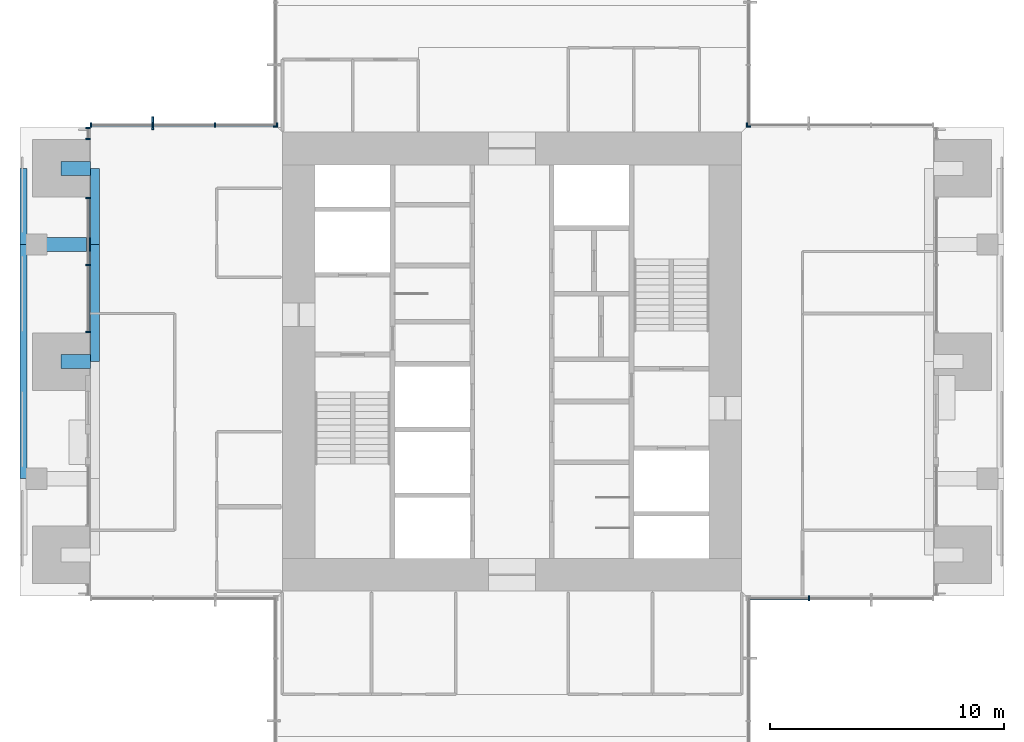
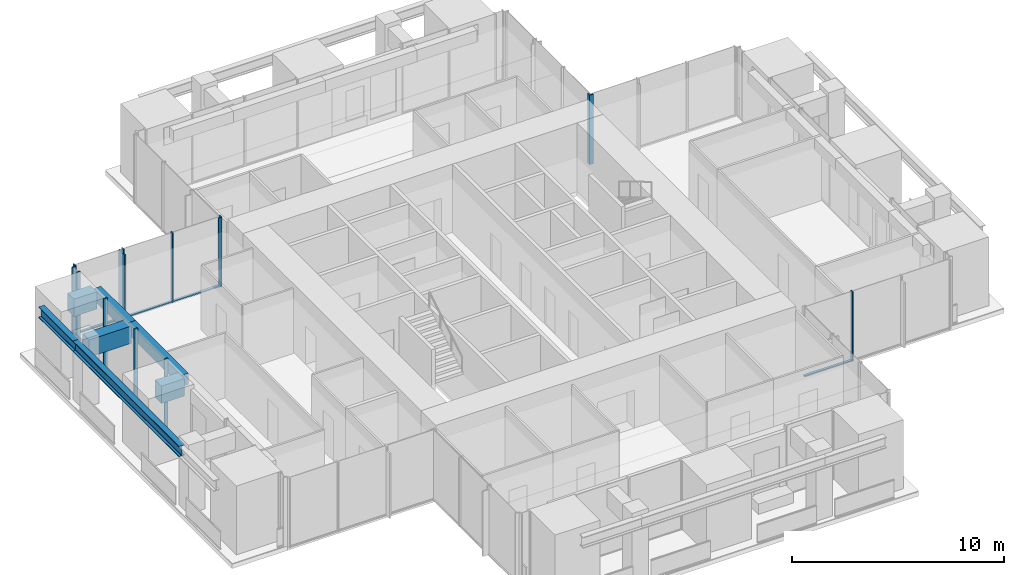
# One storey, part 3 of 17: 20 members, 7 beams, 7 elements without a shape of their own.
"""IFC4 building model written with IfcOpenShell, lengths in metres."""

from ifc_helpers import new_model, si_unit, direction, frame, origin, origin_2d, place, context, subcontext, project, spatial, rectangle, i_section, extrude, material, material_profile, profile_set, type_object, element, aggregate, save


model = new_model("IFC4")

# Units and contexts
model_context = context("Model", 3, precision=1e-05, world=origin(), true_north=direction((0.0, 1.0)))
body_context = subcontext(model_context, "Body", "Model", "MODEL_VIEW")
ifc_project = project(units=[si_unit("LENGTHUNIT", "METRE"), si_unit("AREAUNIT", "SQUARE_METRE"), si_unit("VOLUMEUNIT", "CUBIC_METRE"), si_unit("PLANEANGLEUNIT", "RADIAN"), si_unit("MASSUNIT", "GRAM", prefix="KILO")], contexts=[model_context])

# Site, building, storey
site_placement = place(None, origin())
site = spatial("IfcSite", under=ifc_project, at=site_placement, CompositionType="ELEMENT")
building_placement = place(site_placement, origin())
building = spatial("IfcBuilding", under=site, at=building_placement, Name="Svetlomir Tower", CompositionType="ELEMENT")
storey_placement = place(building_placement, frame((0.0, 0.0, 202.5)))
storey = spatial("IfcBuildingStorey", under=building, at=storey_placement, Name="L48", CompositionType="ELEMENT", Elevation=202.5)

# Curtain wall, member
ifc_material_1 = material(Name="Bronze anodised aluminium curtain wall", Category="aluminium")
curtain_wall_type = type_object("IfcCurtainWallType", Name="CURTAIN WALL CW1 TOWER OFFICE", PredefinedType="NOTDEFINED", material=ifc_material_1)
curtain_wall_1_placement = place(storey_placement, origin())
curtain_wall_1 = element("IfcCurtainWall", 1, at=curtain_wall_1_placement, inside=storey, type_object=curtain_wall_type, Name="Curtain wall CW1 L48", PredefinedType="NOTDEFINED")
ifc_material_2 = material(Name="Bronze anodised aluminium", Category="aluminium")
ifc_material_profile_1 = material_profile(ifc_material_2, rectangle(XDim=0.080078125, YDim=0.550048828125, at=origin_2d()), Name="FIN 80x550")
ifc_profile_set_1 = profile_set([ifc_material_profile_1], Name="Bronze anodised aluminium 6063-T6")
member_type_1 = type_object("IfcMemberType", Name="BRONZE FIN 80x550", PredefinedType="USERDEFINED", material=ifc_profile_set_1)
member_1_placement = place(storey_placement, frame((5.666748046875, 31.175048828125, 0.0), z_axis=(0.0, 0.0, 1.0), x_axis=(1.0, 0.0, 0.0)))
member_1 = element("IfcMember", 2, at=member_1_placement, type_object=member_type_1, Name="Bronze fin L48", ObjectType="FIN", PredefinedType="USERDEFINED", context=body_context, shape_type="SweptSolid", body=[
    extrude(rectangle(XDim=0.080078125, YDim=0.550048828125, at=origin_2d()), origin(), (0.0, 0.0, 1.0), 3.75),
])

curtain_wall_2_placement = place(storey_placement, origin())
curtain_wall_2 = element("IfcCurtainWall", 3, at=curtain_wall_2_placement, inside=storey, type_object=curtain_wall_type, Name="Curtain wall CW1 L48", PredefinedType="NOTDEFINED")
ifc_material_3 = material(Name="Bronze anodised aluminium", Category="aluminium")
ifc_material_profile_2 = material_profile(ifc_material_3, rectangle(XDim=0.06494140625, YDim=0.199951171875, at=origin_2d()), Name="AL 65x200")
ifc_profile_set_2 = profile_set([ifc_material_profile_2], Name="Bronze anodised aluminium 6063-T6")
member_type_2 = type_object("IfcMemberType", Name="CW1 MULLION 65x200", PredefinedType="MULLION", material=ifc_profile_set_2)
member_2_placement = place(storey_placement, frame((33.666748046875, 10.89990234375, 0.0), z_axis=(0.0, 0.0, 1.0), x_axis=(1.0, 0.0, 0.0)))
member_2 = element("IfcMember", 4, at=member_2_placement, type_object=member_type_2, Name="CW1 mullion 2", PredefinedType="MULLION", context=body_context, shape_type="SweptSolid", body=[
    extrude(rectangle(XDim=0.06494140625, YDim=0.199951171875, at=origin_2d()), origin(), (0.0, 0.0, 1.0), 4.0),
])

curtain_wall_3_placement = place(storey_placement, origin())
curtain_wall_3 = element("IfcCurtainWall", 5, at=curtain_wall_3_placement, inside=storey, type_object=curtain_wall_type, Name="Curtain wall CW1 L48", PredefinedType="NOTDEFINED")
member_3_placement = place(storey_placement, frame((31.032470703125, 31.10009765625, 0.0), z_axis=(0.0, 0.0, 1.0), x_axis=(-1.0, 0.0, 0.0)))
member_3 = element("IfcMember", 6, at=member_3_placement, type_object=member_type_2, Name="CW1 mullion 4", PredefinedType="MULLION", context=body_context, shape_type="SweptSolid", body=[
    extrude(rectangle(XDim=0.06494140625, YDim=0.199951171875, at=origin_2d()), origin(), (0.0, 0.0, 1.0), 4.0),
])
aggregate(curtain_wall_3, [member_3])

curtain_wall_4_placement = place(storey_placement, origin())
curtain_wall_4 = element("IfcCurtainWall", 7, at=curtain_wall_4_placement, inside=storey, type_object=curtain_wall_type, Name="Curtain wall CW1 L48", PredefinedType="NOTDEFINED")
member_4_placement = place(storey_placement, frame((31.10009765625, 31.032470703125, 0.0), z_axis=(0.0, 0.0, 1.0), x_axis=(0.0, 1.0, 0.0)))
member_4 = element("IfcMember", 8, at=member_4_placement, type_object=member_type_2, Name="CW1 mullion 1", PredefinedType="MULLION", context=body_context, shape_type="SweptSolid", body=[
    extrude(rectangle(XDim=0.06494140625, YDim=0.199951171875, at=origin_2d()), origin(), (0.0, 0.0, 1.0), 4.0),
])
aggregate(curtain_wall_4, [member_4])

curtain_wall_5_placement = place(storey_placement, origin())
curtain_wall_5 = element("IfcCurtainWall", 9, at=curtain_wall_5_placement, inside=storey, type_object=curtain_wall_type, Name="Curtain wall CW1 L48", PredefinedType="NOTDEFINED")
member_5_placement = place(storey_placement, frame((10.89990234375, 31.032470703125, 0.0), z_axis=(0.0, 0.0, 1.0), x_axis=(0.0, -1.0, 0.0)))
member_5 = element("IfcMember", 10, at=member_5_placement, type_object=member_type_2, Name="CW1 mullion 4", PredefinedType="MULLION", context=body_context, shape_type="SweptSolid", body=[
    extrude(rectangle(XDim=0.06494140625, YDim=0.199951171875, at=origin_2d()), origin(), (0.0, 0.0, 1.0), 4.0),
])
aggregate(curtain_wall_5, [member_5])

# Member
member_6_placement = place(storey_placement, frame((10.967529296875, 31.10009765625, 0.0), z_axis=(0.0, 0.0, 1.0), x_axis=(-1.0, 0.0, 0.0)))
member_6 = element("IfcMember", 11, at=member_6_placement, type_object=member_type_2, Name="CW1 mullion 1", PredefinedType="MULLION", context=body_context, shape_type="SweptSolid", body=[
    extrude(rectangle(XDim=0.06494140625, YDim=0.199951171875, at=origin_2d()), origin(), (0.0, 0.0, 1.0), 4.0),
])

member_7_placement = place(storey_placement, frame((8.333251953125, 31.10009765625, 0.0), z_axis=(0.0, 0.0, 1.0), x_axis=(-1.0, 0.0, 0.0)))
member_7 = element("IfcMember", 12, at=member_7_placement, type_object=member_type_2, Name="CW1 mullion 2", PredefinedType="MULLION", context=body_context, shape_type="SweptSolid", body=[
    extrude(rectangle(XDim=0.06494140625, YDim=0.199951171875, at=origin_2d()), origin(), (0.0, 0.0, 1.0), 4.0),
])

member_8_placement = place(storey_placement, frame((5.666748046875, 31.10009765625, 0.0), z_axis=(0.0, 0.0, 1.0), x_axis=(-1.0, 0.0, 0.0)))
member_8 = element("IfcMember", 13, at=member_8_placement, type_object=member_type_2, Name="CW1 mullion 3", PredefinedType="MULLION", context=body_context, shape_type="SweptSolid", body=[
    extrude(rectangle(XDim=0.06494140625, YDim=0.199951171875, at=origin_2d()), origin(), (0.0, 0.0, 1.0), 4.0),
])

member_9_placement = place(storey_placement, frame((3.032470703125, 31.10009765625, 0.0), z_axis=(0.0, 0.0, 1.0), x_axis=(-1.0, 0.0, 0.0)))
member_9 = element("IfcMember", 14, at=member_9_placement, type_object=member_type_2, Name="CW1 mullion 4", PredefinedType="MULLION", context=body_context, shape_type="SweptSolid", body=[
    extrude(rectangle(XDim=0.06494140625, YDim=0.199951171875, at=origin_2d()), origin(), (0.0, 0.0, 1.0), 4.0),
])

# Curtain wall, members
curtain_wall_6_placement = place(storey_placement, origin())
curtain_wall_6 = element("IfcCurtainWall", 15, at=curtain_wall_6_placement, inside=storey, type_object=curtain_wall_type, Name="Curtain wall CW1 L48", PredefinedType="NOTDEFINED")
member_10_placement = place(storey_placement, frame((2.89990234375, 30.967529296875, 0.0), z_axis=(0.0, 0.0, 1.0), x_axis=(0.0, -1.0, 0.0)))
member_10 = element("IfcMember", 16, at=member_10_placement, type_object=member_type_2, Name="CW1 mullion 1", PredefinedType="MULLION", context=body_context, shape_type="SweptSolid", body=[
    extrude(rectangle(XDim=0.06494140625, YDim=0.199951171875, at=origin_2d()), origin(), (0.0, 0.0, 1.0), 4.0),
])
member_11_placement = place(storey_placement, frame((2.89990234375, 30.507568359375, 0.0), z_axis=(0.0, 0.0, 1.0), x_axis=(0.0, -1.0, 0.0)))
member_11 = element("IfcMember", 17, at=member_11_placement, type_object=member_type_2, Name="CW1 mullion 2", PredefinedType="MULLION", context=body_context, shape_type="SweptSolid", body=[
    extrude(rectangle(XDim=0.06494140625, YDim=0.199951171875, at=origin_2d()), origin(), (0.0, 0.0, 1.0), 4.0),
])
aggregate(curtain_wall_6, [member_10, member_11])

curtain_wall_7_placement = place(storey_placement, origin())
curtain_wall_7 = element("IfcCurtainWall", 18, at=curtain_wall_7_placement, inside=storey, type_object=curtain_wall_type, Name="Curtain wall CW1 L48", PredefinedType="NOTDEFINED")
member_12_placement = place(storey_placement, frame((2.89990234375, 27.992431640625, 0.0), z_axis=(0.0, 0.0, 1.0), x_axis=(0.0, -1.0, 0.0)))
member_12 = element("IfcMember", 19, at=member_12_placement, type_object=member_type_2, Name="CW1 mullion 1", PredefinedType="MULLION", context=body_context, shape_type="SweptSolid", body=[
    extrude(rectangle(XDim=0.06494140625, YDim=0.199951171875, at=origin_2d()), origin(), (0.0, 0.0, 1.0), 4.0),
])
member_13_placement = place(storey_placement, frame((2.89990234375, 25.125, 0.0), z_axis=(0.0, 0.0, 1.0), x_axis=(0.0, -1.0, 0.0)))
member_13 = element("IfcMember", 20, at=member_13_placement, type_object=member_type_2, Name="CW1 mullion 2", PredefinedType="MULLION", context=body_context, shape_type="SweptSolid", body=[
    extrude(rectangle(XDim=0.06494140625, YDim=0.199951171875, at=origin_2d()), origin(), (0.0, 0.0, 1.0), 4.0),
])
member_14_placement = place(storey_placement, frame((2.89990234375, 22.257568359375, 0.0), z_axis=(0.0, 0.0, 1.0), x_axis=(0.0, -1.0, 0.0)))
member_14 = element("IfcMember", 21, at=member_14_placement, type_object=member_type_2, Name="CW1 mullion 3", PredefinedType="MULLION", context=body_context, shape_type="SweptSolid", body=[
    extrude(rectangle(XDim=0.06494140625, YDim=0.199951171875, at=origin_2d()), origin(), (0.0, 0.0, 1.0), 4.0),
])

# Member
ifc_material_4 = material(Name="Bronze anodised aluminium", Category="aluminium")
ifc_material_profile_3 = material_profile(ifc_material_4, rectangle(XDim=0.139892578125, YDim=0.06494140625, at=origin_2d()), Name="AL 140x65")
ifc_profile_set_3 = profile_set([ifc_material_profile_3], Name="Bronze anodised aluminium 6063-T6")
member_type_3 = type_object("IfcMemberType", Name="CW1 TRANSOM 65x140", PredefinedType="USERDEFINED", material=ifc_profile_set_3)
member_15_placement = place(storey_placement, frame((31.06494140625, 10.89990234375, 0.032470703125), z_axis=(1.0, 0.0, 0.0), x_axis=(0.0, 1.0, 0.0)))
member_15 = element("IfcMember", 22, at=member_15_placement, type_object=member_type_3, Name="CW1 transom 1.1", ObjectType="TRANSOM", PredefinedType="USERDEFINED", context=body_context, shape_type="SweptSolid", body=[
    extrude(rectangle(XDim=0.139892578125, YDim=0.06494140625, at=origin_2d()), origin(), (0.0, 0.0, 1.0), 2.5693359375),
])

aggregate(curtain_wall_2, [member_2, member_15])

member_16_placement = place(storey_placement, frame((10.93505859375, 31.10009765625, 0.032470703125), z_axis=(-1.0, 0.0, 0.0), x_axis=(0.0, -1.0, 0.0)))
member_16 = element("IfcMember", 23, at=member_16_placement, type_object=member_type_3, Name="CW1 transom 1.1", ObjectType="TRANSOM", PredefinedType="USERDEFINED", context=body_context, shape_type="SweptSolid", body=[
    extrude(rectangle(XDim=0.139892578125, YDim=0.06494140625, at=origin_2d()), origin(), (0.0, 0.0, 1.0), 2.5693359375),
])

member_17_placement = place(storey_placement, frame((8.30078125, 31.10009765625, 0.032470703125), z_axis=(-1.0, 0.0, 0.0), x_axis=(0.0, -1.0, 0.0)))
member_17 = element("IfcMember", 24, at=member_17_placement, type_object=member_type_3, Name="CW1 transom 2.1", ObjectType="TRANSOM", PredefinedType="USERDEFINED", context=body_context, shape_type="SweptSolid", body=[
    extrude(rectangle(XDim=0.139892578125, YDim=0.06494140625, at=origin_2d()), origin(), (0.0, 0.0, 1.0), 2.6015625),
])

member_18_placement = place(storey_placement, frame((5.63427734375, 31.10009765625, 0.032470703125), z_axis=(-1.0, 0.0, 0.0), x_axis=(0.0, -1.0, 0.0)))
member_18 = element("IfcMember", 25, at=member_18_placement, type_object=member_type_3, Name="CW1 transom 3.1", ObjectType="TRANSOM", PredefinedType="USERDEFINED", context=body_context, shape_type="SweptSolid", body=[
    extrude(rectangle(XDim=0.139892578125, YDim=0.06494140625, at=origin_2d()), origin(), (0.0, 0.0, 1.0), 2.5693359375),
])

aggregate(curtain_wall_1, [member_6, member_7, member_8, member_9, member_16, member_17, member_18, member_1])

member_19_placement = place(storey_placement, frame((2.89990234375, 27.9599609375, 0.032470703125), z_axis=(0.0, -1.0, 0.0), x_axis=(1.0, 0.0, 0.0)))
member_19 = element("IfcMember", 26, at=member_19_placement, type_object=member_type_3, Name="CW1 transom 1.1", ObjectType="TRANSOM", PredefinedType="USERDEFINED", context=body_context, shape_type="SweptSolid", body=[
    extrude(rectangle(XDim=0.139892578125, YDim=0.06494140625, at=origin_2d()), origin(), (0.0, 0.0, 1.0), 2.802490234375),
])

member_20_placement = place(storey_placement, frame((2.89990234375, 25.092529296875, 0.032470703125), z_axis=(0.0, -1.0, 0.0), x_axis=(1.0, 0.0, 0.0)))
member_20 = element("IfcMember", 27, at=member_20_placement, type_object=member_type_3, Name="CW1 transom 2.1", ObjectType="TRANSOM", PredefinedType="USERDEFINED", context=body_context, shape_type="SweptSolid", body=[
    extrude(rectangle(XDim=0.139892578125, YDim=0.06494140625, at=origin_2d()), origin(), (0.0, 0.0, 1.0), 2.802490234375),
])

aggregate(curtain_wall_7, [member_12, member_13, member_14, member_19, member_20])

# Beams
ifc_material_5 = material(Name="Steel S355", Category="steel")
ifc_material_profile_4 = material_profile(ifc_material_5, i_section(OverallWidth=0.304931640625, OverallDepth=0.6201171875, WebThickness=0.02099609375, FlangeThickness=0.0400390625, FilletRadius=0.027099609375, at=origin_2d()), Name="HEM 600")
ifc_profile_set_4 = profile_set([ifc_material_profile_4], Name="Steel S355")
beam_type_1 = type_object("IfcBeamType", Name="EDGE BEAM HEM 600", PredefinedType="SPANDREL", material=ifc_profile_set_4)
beam_1_placement = place(storey_placement, frame((0.152587890625, 16.0, 3.43994140625), z_axis=(0.0, 1.0, 0.0), x_axis=(-1.0, 0.0, 0.0)))
element("IfcBeam", 28, at=beam_1_placement, inside=storey, type_object=beam_type_1, Name="Edge beam 0/16 to 0/26 under L49", PredefinedType="SPANDREL", context=body_context, shape_type="SweptSolid", body=[
    extrude(i_section(OverallWidth=0.304931640625, OverallDepth=0.6201171875, WebThickness=0.02099609375, FlangeThickness=0.0400390625, FilletRadius=0.027099609375, at=origin_2d()), origin(), (0.0, 0.0, 1.0), 10.0),
])
beam_2_placement = place(storey_placement, frame((0.152587890625, 26.0, 3.43994140625), z_axis=(0.0, 1.0, 0.0), x_axis=(-1.0, 0.0, 0.0)))
element("IfcBeam", 29, at=beam_2_placement, inside=storey, type_object=beam_type_1, Name="Edge beam 0/26 to 0/31 under L49", PredefinedType="SPANDREL", context=body_context, shape_type="SweptSolid", body=[
    extrude(i_section(OverallWidth=0.304931640625, OverallDepth=0.6201171875, WebThickness=0.02099609375, FlangeThickness=0.0400390625, FilletRadius=0.027099609375, at=origin_2d()), origin(), (0.0, 0.0, 1.0), 3.25),
])
ifc_material_6 = material(Name="Concrete C60/75", Category="concrete")
ifc_material_profile_5 = material_profile(ifc_material_6, rectangle(XDim=0.39990234375, YDim=0.64990234375, at=origin_2d()), Name="RC 400x650")
ifc_profile_set_5 = profile_set([ifc_material_profile_5], Name="Concrete C60/75")
beam_type_2 = type_object("IfcBeamType", Name="FACADE EDGE BEAM RC 400x650", PredefinedType="BEAM", material=ifc_profile_set_5)
beam_3_placement = place(storey_placement, frame((3.199951171875, 21.0, 3.425048828125), z_axis=(0.0, 1.0, 0.0), x_axis=(-1.0, 0.0, 0.0)))
element("IfcBeam", 30, at=beam_3_placement, inside=storey, type_object=beam_type_2, Name="Facade edge beam W 21 to 26 under L49", PredefinedType="BEAM", context=body_context, shape_type="SweptSolid", body=[
    extrude(rectangle(XDim=0.39990234375, YDim=0.64990234375, at=origin_2d()), origin(), (0.0, 0.0, 1.0), 5.0),
])
beam_4_placement = place(storey_placement, frame((3.199951171875, 26.0, 3.425048828125), z_axis=(0.0, 1.0, 0.0), x_axis=(-1.0, 0.0, 0.0)))
element("IfcBeam", 31, at=beam_4_placement, inside=storey, type_object=beam_type_2, Name="Facade edge beam W 26 to 31 under L49", PredefinedType="BEAM", context=body_context, shape_type="SweptSolid", body=[
    extrude(rectangle(XDim=0.39990234375, YDim=0.64990234375, at=origin_2d()), origin(), (0.0, 0.0, 1.0), 3.25),
])
ifc_material_7 = material(Name="Concrete C60/75", Category="concrete")
ifc_material_profile_6 = material_profile(ifc_material_7, rectangle(XDim=0.60009765625, YDim=1.0, at=origin_2d()), Name="RC 600x1000")
ifc_profile_set_6 = profile_set([ifc_material_profile_6], Name="Concrete C60/75")
beam_type_3 = type_object("IfcBeamType", Name="LOGGIA LINK BEAM RC 600x1000", PredefinedType="BEAM", material=ifc_profile_set_6)
beam_5_placement = place(storey_placement, frame((1.75, 21.0, 3.25), z_axis=(1.0, 0.0, 0.0), x_axis=(0.0, 1.0, 0.0)))
element("IfcBeam", 32, at=beam_5_placement, inside=storey, type_object=beam_type_3, Name="Loggia link beam W 21 under L49", PredefinedType="BEAM", context=body_context, shape_type="SweptSolid", body=[
    extrude(rectangle(XDim=0.60009765625, YDim=1.0, at=origin_2d()), origin(), (0.0, 0.0, 1.0), 1.25),
])
beam_6_placement = place(storey_placement, frame((0.699951171875, 26.0, 3.25), z_axis=(1.0, 0.0, 0.0), x_axis=(0.0, 1.0, 0.0)))
element("IfcBeam", 33, at=beam_6_placement, inside=storey, type_object=beam_type_3, Name="Loggia link beam W 26 under L49", PredefinedType="BEAM", context=body_context, shape_type="SweptSolid", body=[
    extrude(rectangle(XDim=0.60009765625, YDim=1.0, at=origin_2d()), origin(), (0.0, 0.0, 1.0), 2.300048828125),
])
beam_7_placement = place(storey_placement, frame((1.75, 29.25, 3.25), z_axis=(1.0, 0.0, 0.0), x_axis=(0.0, 1.0, 0.0)))
element("IfcBeam", 34, at=beam_7_placement, inside=storey, type_object=beam_type_3, Name="Loggia link beam W 31 under L49", PredefinedType="BEAM", context=body_context, shape_type="SweptSolid", body=[
    extrude(rectangle(XDim=0.60009765625, YDim=1.0, at=origin_2d()), origin(), (0.0, 0.0, 1.0), 1.25),
])

save(model, "model.ifc")
